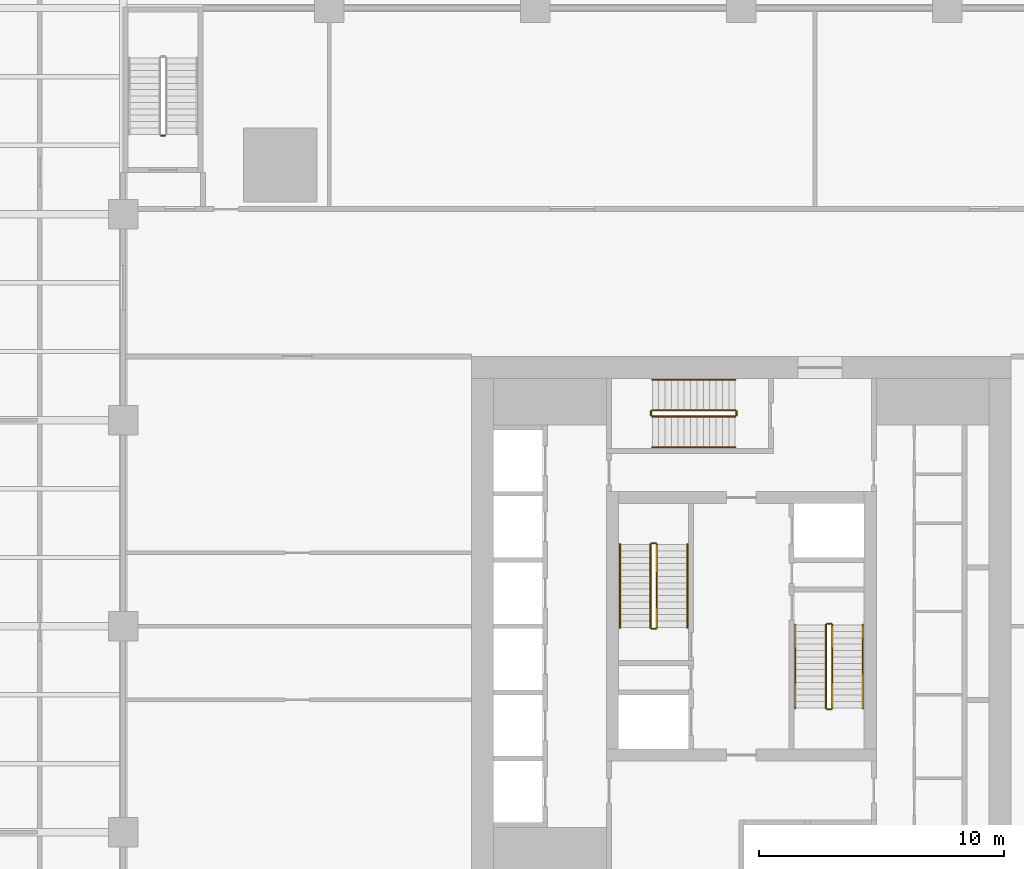
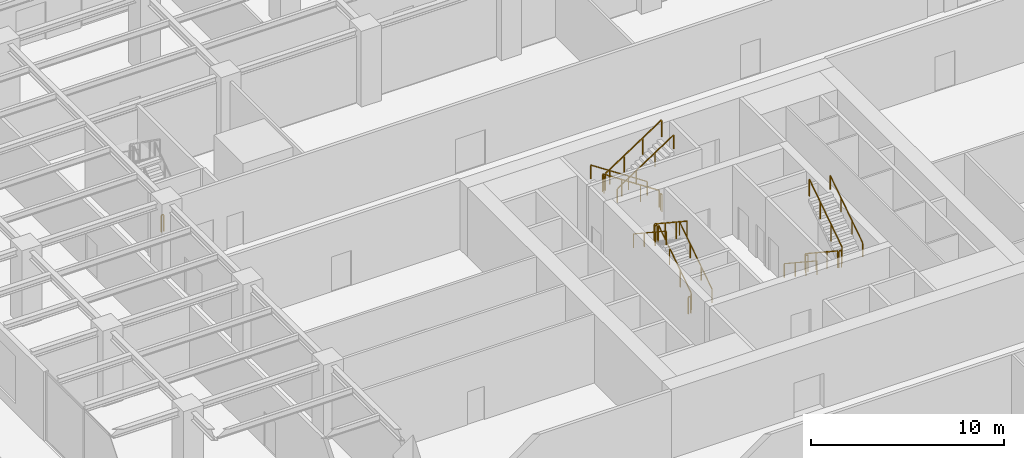
# One storey, part 26 of 32: 19 railings.
"""IFC4 building model written with IfcOpenShell, lengths in metres."""

import ifcopenshell
import ifcopenshell.guid

model = None  # the IFC model being written
_history = None  # IfcOwnerHistory: only IFC2X3 demands one
_inside = {}  # id of a spatial element -> (the spatial element, [elements in it])
_under = {}  # id of a project, library or spatial element -> (it, [spatial elements below it])
_declared = {}  # id of a project -> (the project, [libraries it declares])
_typed = {}  # id of a type object -> (the type object, [elements of that type])
_made_of = {}  # id of a material, layer set ... -> (it, [elements and type objects made of it])


def new_model(schema):
    """Start an empty IFC model of exactly this schema.

    Asked for "IFC4X3", IfcOpenShell would pick the latest addendum, in which some entities
    have other attributes; the version numbers below select the first issue.
    IFC2X3 requires an IfcOwnerHistory on every rooted entity: one is made here for all.
    """
    global model, _history
    if schema == "IFC4X3":
        model = ifcopenshell.file(schema_version=(4, 3, 0, 0))
    else:
        model = ifcopenshell.file(schema=schema)
    _inside.clear()
    _under.clear()
    _declared.clear()
    _typed.clear()
    _made_of.clear()
    _history = None
    if model.schema == "IFC2X3":
        org = make("IfcOrganization", Name="unknown")
        user = make(
            "IfcPersonAndOrganization",
            ThePerson=make("IfcPerson", FamilyName="unknown"),
            TheOrganization=org,
        )
        app = make(
            "IfcApplication",
            ApplicationDeveloper=org,
            Version="unknown",
            ApplicationFullName="unknown",
            ApplicationIdentifier="unknown",
        )
        _history = make(
            "IfcOwnerHistory",
            OwningUser=user,
            OwningApplication=app,
            ChangeAction="ADDED",
            CreationDate=0,
        )
    return model


def make(cls, **values):
    """One entity of the class cls with the attributes given. An attribute that is None is left unset."""
    return model.create_entity(
        cls, **{name: value for name, value in values.items() if value is not None}
    )


def rooted(cls, **values):
    """An entity with a GlobalId (a new one), such as an element, a storey or a relation."""
    return make(cls, GlobalId=ifcopenshell.guid.new(), OwnerHistory=_history, **values)


def si_unit(unit_type, name, prefix=None):
    """IfcSIUnit, for example si_unit("LENGTHUNIT", "METRE", prefix="MILLI")."""
    return make("IfcSIUnit", UnitType=unit_type, Prefix=prefix, Name=name)


def assignment(units):
    """IfcUnitAssignment: the units of a project."""
    return None if units is None else make("IfcUnitAssignment", Units=units)


def point(xyz):
    """IfcCartesianPoint."""
    return None if xyz is None else make("IfcCartesianPoint", Coordinates=xyz)


def direction(xyz):
    """IfcDirection."""
    return None if xyz is None else make("IfcDirection", DirectionRatios=xyz)


def frame(location, z_axis=None, x_axis=None):
    """IfcAxis2Placement3D, a coordinate frame: its origin and axes. An axis left out is left unset."""
    return make(
        "IfcAxis2Placement3D",
        Location=point(location),
        Axis=direction(z_axis),
        RefDirection=direction(x_axis),
    )


def frame_2d(location, x_axis=None):
    """IfcAxis2Placement2D, a coordinate frame in the plane: its origin and x axis."""
    return make(
        "IfcAxis2Placement2D", Location=point(location), RefDirection=direction(x_axis)
    )


def origin():
    """The frame at (0, 0, 0) with its axes left unset."""
    return frame((0.0, 0.0, 0.0))


def origin_2d():
    """The frame at (0, 0) in the plane with its x axis left unset."""
    return frame_2d((0.0, 0.0))


def place(relative_to, where):
    """IfcLocalPlacement: puts the frame where relative to a parent placement (None: the world)."""
    return make(
        "IfcLocalPlacement", PlacementRelTo=relative_to, RelativePlacement=where
    )


def context(
    kind, dimensions, precision=None, world=None, true_north=None, identifier=None
):
    """IfcGeometricRepresentationContext, for example the 3D "Model" context."""
    return make(
        "IfcGeometricRepresentationContext",
        ContextIdentifier=identifier,
        ContextType=kind,
        CoordinateSpaceDimension=dimensions,
        Precision=precision,
        WorldCoordinateSystem=world,
        TrueNorth=true_north,
    )


def subcontext(parent, identifier, kind, view, scale=None):
    """IfcGeometricRepresentationSubContext, for example "Body" below "Model"."""
    return make(
        "IfcGeometricRepresentationSubContext",
        ContextIdentifier=identifier,
        ContextType=kind,
        ParentContext=parent,
        TargetScale=scale,
        TargetView=view,
    )


def project(units=None, contexts=None):
    """IfcProject with its units and contexts."""
    return rooted(
        "IfcProject",
        Name="project",
        RepresentationContexts=contexts,
        UnitsInContext=assignment(units),
    )


def spatial(cls, under=None, at=None, **own):
    """A site, building, storey or space (cls), placed at a placement, below another one or the project."""
    s = rooted(cls, ObjectPlacement=at, **own)
    if under is not None:
        _under.setdefault(under.id(), (under, []))[1].append(s)
    return s


def profile(cls, at=None, kind="AREA", **sizes):
    """A parametric profile (cls). Its sizes go by their IFC names, for example OverallWidth=200.0."""
    return make(cls, ProfileType=kind, Position=at, **sizes)


def rectangle(**sizes):
    """IfcRectangleProfileDef."""
    return profile("IfcRectangleProfileDef", **sizes)


def extrude(swept, where, along, depth):
    """IfcExtrudedAreaSolid: the profile swept, set in the frame where, extruded along a direction by depth."""
    return make(
        "IfcExtrudedAreaSolid",
        SweptArea=swept,
        Position=where,
        ExtrudedDirection=direction(along),
        Depth=depth,
    )


def shape(context_of_items, identifier, shape_type, items):
    """IfcShapeRepresentation: the items that make up one representation, for example the "Body"."""
    return make(
        "IfcShapeRepresentation",
        ContextOfItems=context_of_items,
        RepresentationIdentifier=identifier,
        RepresentationType=shape_type,
        Items=items,
    )


def material(Name=None, Category=None):
    """IfcMaterial."""
    return make("IfcMaterial", Name=Name, Category=Category)


def made_of(thing, what):
    """Note that an element or type object is made of a material, layer set ...; save() writes the relation."""
    if what is not None:
        _made_of.setdefault(what.id(), (what, []))[1].append(thing)
    return thing


def type_object(cls, material=None, **own):
    """A type object (cls), such as IfcWallType, which elements share."""
    return made_of(rooted(cls, **own), material)


def element(
    cls,
    number,
    at=None,
    inside=None,
    cuts=None,
    type_object=None,
    material=None,
    context=None,
    identifier="Body",
    shape_type=None,
    held_by="IfcProductDefinitionShape",
    body=None,
    shapes=None,
    **own,
):
    """One element of the class cls, such as IfcWall. Its Tag is "e" and its number.

    at: its placement. inside: the storey or other place that contains it. cuts: it is an
    opening in that element (IfcRelVoidsElement). A single representation is given by context,
    identifier, shape_type and body (its items); several are given by shapes. held_by: the class
    of the entity that holds the representations. save() writes the other relations.
    """
    e = rooted(cls, Tag="e%d" % number, ObjectPlacement=at, **own)
    if body is not None:
        shapes = [shape(context, identifier, shape_type, body)]
    if shapes is not None:
        e.Representation = make(held_by, Representations=shapes)
    if inside is not None:
        _inside.setdefault(inside.id(), (inside, []))[1].append(e)
    if cuts is not None:
        rooted(
            "IfcRelVoidsElement", RelatingBuildingElement=cuts, RelatedOpeningElement=e
        )
    if type_object is not None:
        _typed.setdefault(type_object.id(), (type_object, []))[1].append(e)
    return made_of(e, material)


def aggregate(whole, parts):
    """IfcRelAggregates: a whole, such as a stair, and the parts it consists of."""
    return rooted("IfcRelAggregates", RelatingObject=whole, RelatedObjects=parts)


def save(model, path):
    """Write the relations noted so far, then the file.

    IfcRelAggregates (storeys below a building ...), IfcRelContainedInSpatialStructure (elements
    in a storey), IfcRelDefinesByType, IfcRelAssociatesMaterial and IfcRelDeclares: one each for
    every whole, place, type object, material and project.
    """
    for whole, parts in _under.values():
        aggregate(whole, parts)
    for where, things in _inside.values():
        rooted(
            "IfcRelContainedInSpatialStructure",
            RelatedElements=things,
            RelatingStructure=where,
        )
    for kind, things in _typed.values():
        rooted("IfcRelDefinesByType", RelatedObjects=things, RelatingType=kind)
    for what, things in _made_of.values():
        rooted("IfcRelAssociatesMaterial", RelatedObjects=things, RelatingMaterial=what)
    for by, libraries in _declared.values():
        rooted("IfcRelDeclares", RelatingContext=by, RelatedDefinitions=libraries)
    model.write(path)


model = new_model("IFC4")

# Units and contexts
model_context = context("Model", 3, precision=1e-05, world=origin(), true_north=direction((0.0, 1.0)))
body_context = subcontext(model_context, "Body", "Model", "MODEL_VIEW")
ifc_project = project(units=[si_unit("LENGTHUNIT", "METRE"), si_unit("AREAUNIT", "SQUARE_METRE"), si_unit("VOLUMEUNIT", "CUBIC_METRE"), si_unit("PLANEANGLEUNIT", "RADIAN"), si_unit("MASSUNIT", "GRAM", prefix="KILO")], contexts=[model_context])

# Site, building, storey
site_placement = place(None, origin())
site = spatial("IfcSite", under=ifc_project, at=site_placement, CompositionType="ELEMENT")
building_placement = place(site_placement, origin())
building = spatial("IfcBuilding", under=site, at=building_placement, Name="Khepri Terraces", CompositionType="ELEMENT")
storey_placement = place(building_placement, frame((0.0, 0.0, 12.0)))
storey = spatial("IfcBuildingStorey", under=building, at=storey_placement, Name="L02", CompositionType="ELEMENT", Elevation=12.0)

# Railings
ifc_material = material(Name="Stainless steel 316", Category="steel")
railing_type_1 = type_object("IfcRailingType", Name="RL-CORE-GUARD", PredefinedType="GUARDRAIL", material=ifc_material)
railing_1_placement = place(storey_placement, frame((-3.449951171875, -0.050048828125, 0.17138671875)))
element("IfcRailing", 1, at=railing_1_placement, inside=storey, type_object=railing_type_1, Name="L02 ST-1 stair guard 1", PredefinedType="GUARDRAIL", context=body_context, shape_type="SweptSolid", body=[
    extrude(rectangle(XDim=0.050048828125, YDim=0.06005859375, at=origin_2d()), frame((0.0, 0.0, 1.070068359375), z_axis=(0.0, 0.834878220475, 0.550434698194), x_axis=(-1.0, 0.0, 0.0)), (0.0, 0.0, 1.0), 4.048583984375),
    extrude(rectangle(XDim=0.050048828125, YDim=0.050048828125, at=origin_2d()), origin(), (0.0, 0.0, 1.0), 1.0400390625),
    extrude(rectangle(XDim=0.050048828125, YDim=0.050048828125, at=origin_2d()), frame((0.0, 1.126708984375, 0.742919921875)), (0.0, 0.0, 1.0), 1.0400390625),
    extrude(rectangle(XDim=0.050048828125, YDim=0.050048828125, at=origin_2d()), frame((0.0, 2.25341796875, 1.485595703125)), (0.0, 0.0, 1.0), 1.0400390625),
    extrude(rectangle(XDim=0.050048828125, YDim=0.050048828125, at=origin_2d()), frame((0.0, 3.380126953125, 2.228515625)), (0.0, 0.0, 1.0), 1.0400390625),
])
railing_2_placement = place(storey_placement, frame((-3.5, 3.3798828125, 2.39990234375)))
element("IfcRailing", 2, at=railing_2_placement, inside=storey, type_object=railing_type_1, Name="L02 ST-1 stair guard 2", PredefinedType="GUARDRAIL", context=body_context, shape_type="SweptSolid", body=[
    extrude(rectangle(XDim=0.050048828125, YDim=0.06005859375, at=origin_2d()), frame((0.0, 0.0, 1.070068359375), z_axis=(-1.0, 0.0, 0.0), x_axis=(0.0, -1.0, 0.0)), (0.0, 0.0, 1.0), 0.14990234375),
    extrude(rectangle(XDim=0.050048828125, YDim=0.050048828125, at=origin_2d()), origin(), (0.0, 0.0, 1.0), 1.0400390625),
    extrude(rectangle(XDim=0.050048828125, YDim=0.050048828125, at=origin_2d()), frame((-0.14990234375, 0.0, 0.0)), (0.0, 0.0, 1.0), 1.0400390625),
])
railing_3_placement = place(storey_placement, frame((-3.699951171875, 3.330078125, 2.571533203125)))
element("IfcRailing", 3, at=railing_3_placement, inside=storey, type_object=railing_type_1, Name="L02 ST-1 stair guard 3", PredefinedType="GUARDRAIL", context=body_context, shape_type="SweptSolid", body=[
    extrude(rectangle(XDim=0.050048828125, YDim=0.06005859375, at=origin_2d()), frame((0.0, 0.0, 1.070068359375), z_axis=(0.0, -0.834878220475, 0.550434698194), x_axis=(1.0, 0.0, 0.0)), (0.0, 0.0, 1.0), 4.048583984375),
    extrude(rectangle(XDim=0.050048828125, YDim=0.050048828125, at=origin_2d()), origin(), (0.0, 0.0, 1.0), 1.0400390625),
    extrude(rectangle(XDim=0.050048828125, YDim=0.050048828125, at=origin_2d()), frame((0.0, -1.126708984375, 0.742919921875)), (0.0, 0.0, 1.0), 1.0400390625),
    extrude(rectangle(XDim=0.050048828125, YDim=0.050048828125, at=origin_2d()), frame((0.0, -2.25341796875, 1.485595703125)), (0.0, 0.0, 1.0), 1.0400390625),
    extrude(rectangle(XDim=0.050048828125, YDim=0.050048828125, at=origin_2d()), frame((0.0, -3.380126953125, 2.228515625)), (0.0, 0.0, 1.0), 1.0400390625),
])
railing_4_placement = place(storey_placement, frame((-3.5, -0.10009765625, 0.0)))
element("IfcRailing", 4, at=railing_4_placement, inside=storey, type_object=railing_type_1, Name="L02 ST-1 stair guard 4", PredefinedType="GUARDRAIL", context=body_context, shape_type="SweptSolid", body=[
    extrude(rectangle(XDim=0.050048828125, YDim=0.06005859375, at=origin_2d()), frame((0.0, 0.0, 1.070068359375), z_axis=(-1.0, 0.0, 0.0), x_axis=(0.0, -1.0, 0.0)), (0.0, 0.0, 1.0), 0.14990234375),
    extrude(rectangle(XDim=0.050048828125, YDim=0.050048828125, at=origin_2d()), origin(), (0.0, 0.0, 1.0), 1.0400390625),
    extrude(rectangle(XDim=0.050048828125, YDim=0.050048828125, at=origin_2d()), frame((-0.14990234375, 0.0, 0.0)), (0.0, 0.0, 1.0), 1.0400390625),
])
railing_5_placement = place(storey_placement, frame((3.449951171875, 0.050048828125, 0.17138671875)))
element("IfcRailing", 5, at=railing_5_placement, inside=storey, type_object=railing_type_1, Name="L02 ST-2 stair guard 1", PredefinedType="GUARDRAIL", context=body_context, shape_type="SweptSolid", body=[
    extrude(rectangle(XDim=0.050048828125, YDim=0.06005859375, at=origin_2d()), frame((0.0, 0.0, 1.070068359375), z_axis=(0.0, -0.834878220475, 0.550434698194), x_axis=(1.0, 0.0, 0.0)), (0.0, 0.0, 1.0), 4.048583984375),
    extrude(rectangle(XDim=0.050048828125, YDim=0.050048828125, at=origin_2d()), origin(), (0.0, 0.0, 1.0), 1.0400390625),
    extrude(rectangle(XDim=0.050048828125, YDim=0.050048828125, at=origin_2d()), frame((0.0, -1.126708984375, 0.742919921875)), (0.0, 0.0, 1.0), 1.0400390625),
    extrude(rectangle(XDim=0.050048828125, YDim=0.050048828125, at=origin_2d()), frame((0.0, -2.25341796875, 1.485595703125)), (0.0, 0.0, 1.0), 1.0400390625),
    extrude(rectangle(XDim=0.050048828125, YDim=0.050048828125, at=origin_2d()), frame((0.0, -3.380126953125, 2.228515625)), (0.0, 0.0, 1.0), 1.0400390625),
])
railing_6_placement = place(storey_placement, frame((3.5, -3.3798828125, 2.39990234375)))
element("IfcRailing", 6, at=railing_6_placement, inside=storey, type_object=railing_type_1, Name="L02 ST-2 stair guard 2", PredefinedType="GUARDRAIL", context=body_context, shape_type="SweptSolid", body=[
    extrude(rectangle(XDim=0.050048828125, YDim=0.06005859375, at=origin_2d()), frame((0.0, 0.0, 1.070068359375), z_axis=(1.0, 0.0, 0.0), x_axis=(0.0, 1.0, 0.0)), (0.0, 0.0, 1.0), 0.14990234375),
    extrude(rectangle(XDim=0.050048828125, YDim=0.050048828125, at=origin_2d()), origin(), (0.0, 0.0, 1.0), 1.0400390625),
    extrude(rectangle(XDim=0.050048828125, YDim=0.050048828125, at=origin_2d()), frame((0.14990234375, 0.0, 0.0)), (0.0, 0.0, 1.0), 1.0400390625),
])
railing_7_placement = place(storey_placement, frame((3.699951171875, -3.330078125, 2.571533203125)))
element("IfcRailing", 7, at=railing_7_placement, inside=storey, type_object=railing_type_1, Name="L02 ST-2 stair guard 3", PredefinedType="GUARDRAIL", context=body_context, shape_type="SweptSolid", body=[
    extrude(rectangle(XDim=0.050048828125, YDim=0.06005859375, at=origin_2d()), frame((0.0, 0.0, 1.070068359375), z_axis=(0.0, 0.834878220475, 0.550434698194), x_axis=(-1.0, 0.0, 0.0)), (0.0, 0.0, 1.0), 4.048583984375),
    extrude(rectangle(XDim=0.050048828125, YDim=0.050048828125, at=origin_2d()), origin(), (0.0, 0.0, 1.0), 1.0400390625),
    extrude(rectangle(XDim=0.050048828125, YDim=0.050048828125, at=origin_2d()), frame((0.0, 1.126708984375, 0.742919921875)), (0.0, 0.0, 1.0), 1.0400390625),
    extrude(rectangle(XDim=0.050048828125, YDim=0.050048828125, at=origin_2d()), frame((0.0, 2.25341796875, 1.485595703125)), (0.0, 0.0, 1.0), 1.0400390625),
    extrude(rectangle(XDim=0.050048828125, YDim=0.050048828125, at=origin_2d()), frame((0.0, 3.380126953125, 2.228515625)), (0.0, 0.0, 1.0), 1.0400390625),
])
railing_8_placement = place(storey_placement, frame((3.5, 0.10009765625, 0.0)))
element("IfcRailing", 8, at=railing_8_placement, inside=storey, type_object=railing_type_1, Name="L02 ST-2 stair guard 4", PredefinedType="GUARDRAIL", context=body_context, shape_type="SweptSolid", body=[
    extrude(rectangle(XDim=0.050048828125, YDim=0.06005859375, at=origin_2d()), frame((0.0, 0.0, 1.070068359375), z_axis=(1.0, 0.0, 0.0), x_axis=(0.0, 1.0, 0.0)), (0.0, 0.0, 1.0), 0.14990234375),
    extrude(rectangle(XDim=0.050048828125, YDim=0.050048828125, at=origin_2d()), origin(), (0.0, 0.0, 1.0), 1.0400390625),
    extrude(rectangle(XDim=0.050048828125, YDim=0.050048828125, at=origin_2d()), frame((0.14990234375, 0.0, 0.0)), (0.0, 0.0, 1.0), 1.0400390625),
])
railing_9_placement = place(storey_placement, frame((-0.25, 8.800048828125, 0.17138671875)))
element("IfcRailing", 9, at=railing_9_placement, inside=storey, type_object=railing_type_1, Name="L02 ST-3 stair guard 1", PredefinedType="GUARDRAIL", context=body_context, shape_type="SweptSolid", body=[
    extrude(rectangle(XDim=0.050048828125, YDim=0.06005859375, at=origin_2d()), frame((0.0, 0.0, 1.070068359375), z_axis=(-0.83485994896, 0.0, 0.550462410727), x_axis=(0.0, -1.0, 0.0)), (0.0, 0.0, 1.0), 4.04833984375),
    extrude(rectangle(XDim=0.050048828125, YDim=0.050048828125, at=origin_2d()), origin(), (0.0, 0.0, 1.0), 1.0400390625),
    extrude(rectangle(XDim=0.050048828125, YDim=0.050048828125, at=origin_2d()), frame((-1.126708984375, 0.0, 0.742919921875)), (0.0, 0.0, 1.0), 1.0400390625),
    extrude(rectangle(XDim=0.050048828125, YDim=0.050048828125, at=origin_2d()), frame((-2.253173828125, 0.0, 1.485595703125)), (0.0, 0.0, 1.0), 1.0400390625),
    extrude(rectangle(XDim=0.050048828125, YDim=0.050048828125, at=origin_2d()), frame((-3.3798828125, 0.0, 2.228515625)), (0.0, 0.0, 1.0), 1.0400390625),
])
railing_10_placement = place(storey_placement, frame((-3.679931640625, 8.75, 2.39990234375)))
element("IfcRailing", 10, at=railing_10_placement, inside=storey, type_object=railing_type_1, Name="L02 ST-3 stair guard 2", PredefinedType="GUARDRAIL", context=body_context, shape_type="SweptSolid", body=[
    extrude(rectangle(XDim=0.050048828125, YDim=0.06005859375, at=origin_2d()), frame((0.0, 0.0, 1.070068359375), z_axis=(0.0, -1.0, 0.0), x_axis=(1.0, 0.0, 0.0)), (0.0, 0.0, 1.0), 0.14990234375),
    extrude(rectangle(XDim=0.050048828125, YDim=0.050048828125, at=origin_2d()), origin(), (0.0, 0.0, 1.0), 1.0400390625),
    extrude(rectangle(XDim=0.050048828125, YDim=0.050048828125, at=origin_2d()), frame((0.0, -0.14990234375, 0.0)), (0.0, 0.0, 1.0), 1.0400390625),
])
railing_11_placement = place(storey_placement, frame((-3.6298828125, 8.550048828125, 2.571533203125)))
element("IfcRailing", 11, at=railing_11_placement, inside=storey, type_object=railing_type_1, Name="L02 ST-3 stair guard 3", PredefinedType="GUARDRAIL", context=body_context, shape_type="SweptSolid", body=[
    extrude(rectangle(XDim=0.050048828125, YDim=0.06005859375, at=origin_2d()), frame((0.0, 0.0, 1.070068359375), z_axis=(0.83485994896, 0.0, 0.550462410727), x_axis=(0.0, 1.0, 0.0)), (0.0, 0.0, 1.0), 4.04833984375),
    extrude(rectangle(XDim=0.050048828125, YDim=0.050048828125, at=origin_2d()), origin(), (0.0, 0.0, 1.0), 1.0400390625),
    extrude(rectangle(XDim=0.050048828125, YDim=0.050048828125, at=origin_2d()), frame((1.126708984375, 0.0, 0.742919921875)), (0.0, 0.0, 1.0), 1.0400390625),
    extrude(rectangle(XDim=0.050048828125, YDim=0.050048828125, at=origin_2d()), frame((2.253173828125, 0.0, 1.485595703125)), (0.0, 0.0, 1.0), 1.0400390625),
    extrude(rectangle(XDim=0.050048828125, YDim=0.050048828125, at=origin_2d()), frame((3.3798828125, 0.0, 2.228515625)), (0.0, 0.0, 1.0), 1.0400390625),
])
railing_12_placement = place(storey_placement, frame((-0.199951171875, 8.75, 0.0)))
element("IfcRailing", 12, at=railing_12_placement, inside=storey, type_object=railing_type_1, Name="L02 ST-3 stair guard 4", PredefinedType="GUARDRAIL", context=body_context, shape_type="SweptSolid", body=[
    extrude(rectangle(XDim=0.050048828125, YDim=0.06005859375, at=origin_2d()), frame((0.0, 0.0, 1.070068359375), z_axis=(0.0, -1.0, 0.0), x_axis=(1.0, 0.0, 0.0)), (0.0, 0.0, 1.0), 0.14990234375),
    extrude(rectangle(XDim=0.050048828125, YDim=0.050048828125, at=origin_2d()), origin(), (0.0, 0.0, 1.0), 1.0400390625),
    extrude(rectangle(XDim=0.050048828125, YDim=0.050048828125, at=origin_2d()), frame((0.0, -0.14990234375, 0.0)), (0.0, 0.0, 1.0), 1.0400390625),
])
railing_type_2 = type_object("IfcRailingType", Name="RL-CORE-HANDRAIL", PredefinedType="HANDRAIL", material=ifc_material)
railing_13_placement = place(storey_placement, frame((-2.199951171875, -0.050048828125, 0.17138671875)))
element("IfcRailing", 13, at=railing_13_placement, inside=storey, type_object=railing_type_2, Name="L02 ST-1 stair handrail 1", PredefinedType="HANDRAIL", context=body_context, shape_type="SweptSolid", body=[
    extrude(rectangle(XDim=0.050048828125, YDim=0.050048828125, at=origin_2d()), frame((0.0, 0.0, 0.875), z_axis=(0.0, 0.834878220475, 0.550434698194), x_axis=(-1.0, 0.0, 0.0)), (0.0, 0.0, 1.0), 4.048583984375),
    extrude(rectangle(XDim=0.050048828125, YDim=0.050048828125, at=origin_2d()), origin(), (0.0, 0.0, 1.0), 0.849853515625),
    extrude(rectangle(XDim=0.050048828125, YDim=0.050048828125, at=origin_2d()), frame((0.0, 1.126708984375, 0.742919921875)), (0.0, 0.0, 1.0), 0.849853515625),
    extrude(rectangle(XDim=0.050048828125, YDim=0.050048828125, at=origin_2d()), frame((0.0, 2.25341796875, 1.485595703125)), (0.0, 0.0, 1.0), 0.849853515625),
    extrude(rectangle(XDim=0.050048828125, YDim=0.050048828125, at=origin_2d()), frame((0.0, 3.380126953125, 2.228515625)), (0.0, 0.0, 1.0), 0.849853515625),
])
for number, where, name in (
    (14, (-4.949951171875, 3.330078125, 2.571533203125), "L02 ST-1 stair handrail 2"),
    (15, (2.199951171875, 0.050048828125, 0.17138671875), "L02 ST-2 stair handrail 1"),
):
    element("IfcRailing", number, at=place(storey_placement, frame(where)), inside=storey, type_object=railing_type_2, Name=name, PredefinedType="HANDRAIL", context=body_context, shape_type="SweptSolid", body=[
        extrude(rectangle(XDim=0.050048828125, YDim=0.050048828125, at=origin_2d()), frame((0.0, 0.0, 0.875), z_axis=(0.0, -0.834878220475, 0.550434698194), x_axis=(1.0, 0.0, 0.0)), (0.0, 0.0, 1.0), 4.048583984375),
        extrude(rectangle(XDim=0.050048828125, YDim=0.050048828125, at=origin_2d()), origin(), (0.0, 0.0, 1.0), 0.849853515625),
        extrude(rectangle(XDim=0.050048828125, YDim=0.050048828125, at=origin_2d()), frame((0.0, -1.126708984375, 0.742919921875)), (0.0, 0.0, 1.0), 0.849853515625),
        extrude(rectangle(XDim=0.050048828125, YDim=0.050048828125, at=origin_2d()), frame((0.0, -2.25341796875, 1.485595703125)), (0.0, 0.0, 1.0), 0.849853515625),
        extrude(rectangle(XDim=0.050048828125, YDim=0.050048828125, at=origin_2d()), frame((0.0, -3.380126953125, 2.228515625)), (0.0, 0.0, 1.0), 0.849853515625),
    ])
railing_14_placement = place(storey_placement, frame((4.949951171875, -3.330078125, 2.571533203125)))
element("IfcRailing", 16, at=railing_14_placement, inside=storey, type_object=railing_type_2, Name="L02 ST-2 stair handrail 2", PredefinedType="HANDRAIL", context=body_context, shape_type="SweptSolid", body=[
    extrude(rectangle(XDim=0.050048828125, YDim=0.050048828125, at=origin_2d()), frame((0.0, 0.0, 0.875), z_axis=(0.0, 0.834878220475, 0.550434698194), x_axis=(-1.0, 0.0, 0.0)), (0.0, 0.0, 1.0), 4.048583984375),
    extrude(rectangle(XDim=0.050048828125, YDim=0.050048828125, at=origin_2d()), origin(), (0.0, 0.0, 1.0), 0.849853515625),
    extrude(rectangle(XDim=0.050048828125, YDim=0.050048828125, at=origin_2d()), frame((0.0, 1.126708984375, 0.742919921875)), (0.0, 0.0, 1.0), 0.849853515625),
    extrude(rectangle(XDim=0.050048828125, YDim=0.050048828125, at=origin_2d()), frame((0.0, 2.25341796875, 1.485595703125)), (0.0, 0.0, 1.0), 0.849853515625),
    extrude(rectangle(XDim=0.050048828125, YDim=0.050048828125, at=origin_2d()), frame((0.0, 3.380126953125, 2.228515625)), (0.0, 0.0, 1.0), 0.849853515625),
])
railing_15_placement = place(storey_placement, frame((-0.25, 10.050048828125, 0.17138671875)))
element("IfcRailing", 17, at=railing_15_placement, inside=storey, type_object=railing_type_2, Name="L02 ST-3 stair handrail 1", PredefinedType="HANDRAIL", context=body_context, shape_type="SweptSolid", body=[
    extrude(rectangle(XDim=0.050048828125, YDim=0.050048828125, at=origin_2d()), frame((0.0, 0.0, 0.875), z_axis=(-0.83485994896, 0.0, 0.550462410727), x_axis=(0.0, -1.0, 0.0)), (0.0, 0.0, 1.0), 4.04833984375),
    extrude(rectangle(XDim=0.050048828125, YDim=0.050048828125, at=origin_2d()), origin(), (0.0, 0.0, 1.0), 0.849853515625),
    extrude(rectangle(XDim=0.050048828125, YDim=0.050048828125, at=origin_2d()), frame((-1.126708984375, 0.0, 0.742919921875)), (0.0, 0.0, 1.0), 0.849853515625),
    extrude(rectangle(XDim=0.050048828125, YDim=0.050048828125, at=origin_2d()), frame((-2.253173828125, 0.0, 1.485595703125)), (0.0, 0.0, 1.0), 0.849853515625),
    extrude(rectangle(XDim=0.050048828125, YDim=0.050048828125, at=origin_2d()), frame((-3.3798828125, 0.0, 2.228515625)), (0.0, 0.0, 1.0), 0.849853515625),
])
railing_16_placement = place(storey_placement, frame((-3.6298828125, 7.300048828125, 2.571533203125)))
element("IfcRailing", 18, at=railing_16_placement, inside=storey, type_object=railing_type_2, Name="L02 ST-3 stair handrail 2", PredefinedType="HANDRAIL", context=body_context, shape_type="SweptSolid", body=[
    extrude(rectangle(XDim=0.050048828125, YDim=0.050048828125, at=origin_2d()), frame((0.0, 0.0, 0.875), z_axis=(0.83485994896, 0.0, 0.550462410727), x_axis=(0.0, 1.0, 0.0)), (0.0, 0.0, 1.0), 4.04833984375),
    extrude(rectangle(XDim=0.050048828125, YDim=0.050048828125, at=origin_2d()), origin(), (0.0, 0.0, 1.0), 0.849853515625),
    extrude(rectangle(XDim=0.050048828125, YDim=0.050048828125, at=origin_2d()), frame((1.126708984375, 0.0, 0.742919921875)), (0.0, 0.0, 1.0), 0.849853515625),
    extrude(rectangle(XDim=0.050048828125, YDim=0.050048828125, at=origin_2d()), frame((2.253173828125, 0.0, 1.485595703125)), (0.0, 0.0, 1.0), 0.849853515625),
    extrude(rectangle(XDim=0.050048828125, YDim=0.050048828125, at=origin_2d()), frame((3.3798828125, 0.0, 2.228515625)), (0.0, 0.0, 1.0), 0.849853515625),
])
railing_type_3 = type_object("IfcRailingType", Name="RL-POD-GUARD", PredefinedType="GUARDRAIL", material=ifc_material)
railing_17_placement = place(storey_placement, frame((-23.5, 20.0, 0.0)))
element("IfcRailing", 19, at=railing_17_placement, inside=storey, type_object=railing_type_3, Name="L02 PS-2 stair guard 4", PredefinedType="GUARDRAIL", context=body_context, shape_type="SweptSolid", body=[
    extrude(rectangle(XDim=0.050048828125, YDim=0.06005859375, at=origin_2d()), frame((0.0, 0.0, 1.070068359375), z_axis=(-1.0, 0.0, 0.0), x_axis=(0.0, -1.0, 0.0)), (0.0, 0.0, 1.0), 0.14990234375),
    extrude(rectangle(XDim=0.050048828125, YDim=0.050048828125, at=origin_2d()), origin(), (0.0, 0.0, 1.0), 1.0400390625),
    extrude(rectangle(XDim=0.050048828125, YDim=0.050048828125, at=origin_2d()), frame((-0.14990234375, 0.0, 0.0)), (0.0, 0.0, 1.0), 1.0400390625),
])

save(model, "model.ifc")
